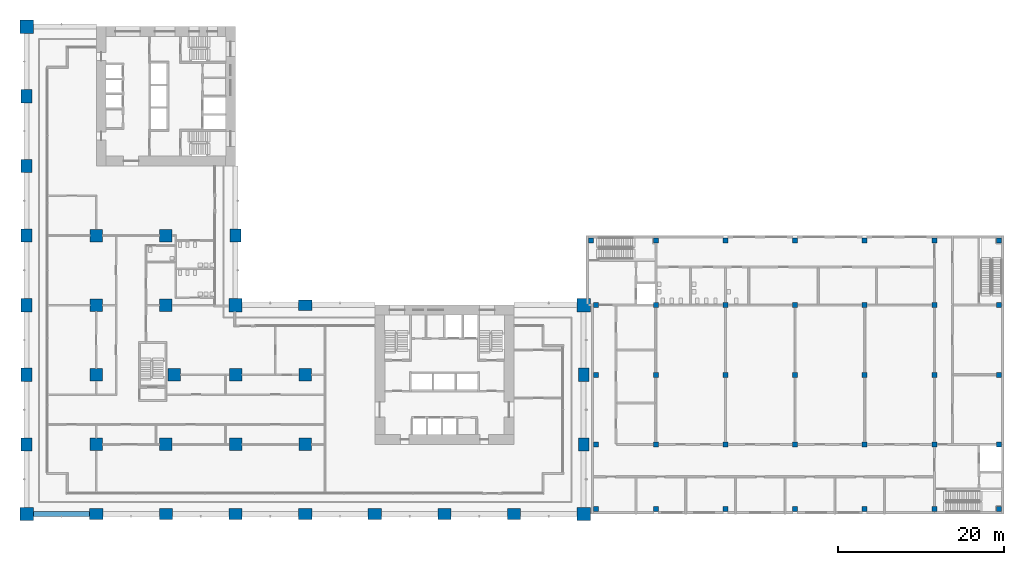
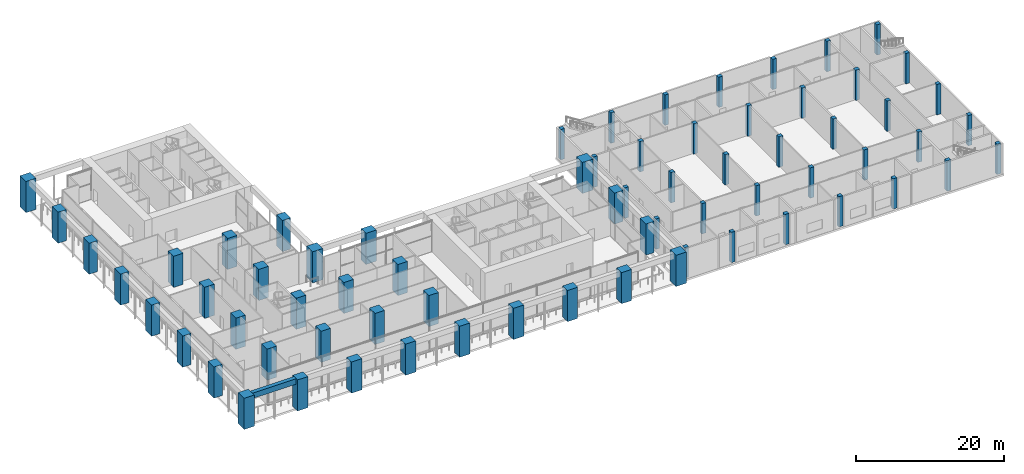
# One storey, part 1 of 32: 69 columns, 1 beam.
"""IFC4 building model written with IfcOpenShell, lengths in metres."""

from ifc_helpers import new_model, si_unit, direction, frame, origin, origin_2d, place, context, subcontext, project, spatial, rectangle, extrude, material, material_profile, profile_set, type_object, element, save


model = new_model("IFC4")

# Units and contexts
model_context = context("Model", 3, precision=1e-05, world=origin(), true_north=direction((0.0, 1.0)))
body_context = subcontext(model_context, "Body", "Model", "MODEL_VIEW")
ifc_project = project(units=[si_unit("LENGTHUNIT", "METRE"), si_unit("AREAUNIT", "SQUARE_METRE"), si_unit("VOLUMEUNIT", "CUBIC_METRE"), si_unit("PLANEANGLEUNIT", "RADIAN"), si_unit("MASSUNIT", "GRAM", prefix="KILO")], contexts=[model_context])

# Site, building, storey
site_placement = place(None, origin())
site = spatial("IfcSite", under=ifc_project, at=site_placement, CompositionType="ELEMENT")
building_placement = place(site_placement, origin())
building = spatial("IfcBuilding", under=site, at=building_placement, Name="Vermilion Gate Residences", CompositionType="ELEMENT")
storey_placement = place(building_placement, frame((0.0, 0.0, 19.800048828125)))
storey = spatial("IfcBuildingStorey", under=building, at=storey_placement, Name="L03", CompositionType="ELEMENT", Elevation=19.800048828125)

# Columns
ifc_material_1 = material(Name="Concrete C80", Category="concrete")
ifc_material_profile_1 = material_profile(ifc_material_1, rectangle(XDim=1.5, YDim=1.5, at=origin_2d()), Name="RC-1500x1500")
ifc_profile_set_1 = profile_set([ifc_material_profile_1], Name="Concrete C80")
column_type_1 = type_object("IfcColumnType", Name="RC COLUMN 1500 X 1500 C80", PredefinedType="COLUMN", material=ifc_profile_set_1)
for number, where, z_axis, x_axis, name in (
    (1, (8.39990234375, 8.39990234375, 0.0), (0.0, 0.0, 1.0), (1.0, 0.0, 0.0), "Column 2-B L03"),
    (2, (8.39990234375, 16.800048828125, 0.0), (0.0, 0.0, 1.0), (1.0, 0.0, 0.0), "Column 2-C L03"),
    (3, (8.39990234375, 25.199951171875, 0.0), (0.0, 0.0, 1.0), (1.0, 0.0, 0.0), "Column 2-D L03"),
    (4, (8.39990234375, 33.60009765625, 0.0), (0.0, 0.0, 1.0), (1.0, 0.0, 0.0), "Column 2-E L03"),
    (5, (16.800048828125, 8.39990234375, 0.0), (0.0, 0.0, 1.0), (1.0, 0.0, 0.0), "Column 3-B L03"),
    (6, (17.800048828125, 16.800048828125, 0.0), (0.0, 0.0, 1.0), (1.0, 0.0, 0.0), "Column 3-C L03"),
    (7, (16.800048828125, 25.199951171875, 0.0), (0.0, 0.0, 1.0), (1.0, 0.0, 0.0), "Column 3-D L03"),
    (8, (16.800048828125, 33.60009765625, 0.0), (0.0, 0.0, 1.0), (1.0, 0.0, 0.0), "Column 3-E L03"),
    (9, (25.199951171875, 8.39990234375, 0.0), (0.0, 0.0, 1.0), (1.0, 0.0, 0.0), "Column 4-B L03"),
    (10, (25.199951171875, 16.800048828125, 0.0), (0.0, 0.0, 1.0), (1.0, 0.0, 0.0), "Column 4-C L03"),
    (11, (33.60009765625, 8.39990234375, 0.0), (0.0, 0.0, 1.0), (1.0, 0.0, 0.0), "Column 5-B L03"),
    (12, (33.60009765625, 16.800048828125, 0.0), (0.0, 0.0, 1.0), (1.0, 0.0, 0.0), "Column 5-C L03"),
):
    element("IfcColumn", number, at=place(storey_placement, frame(where, z_axis=z_axis, x_axis=x_axis)), inside=storey, type_object=column_type_1, Name=name, PredefinedType="COLUMN", context=body_context, shape_type="SweptSolid", body=[
        extrude(rectangle(XDim=1.5, YDim=1.5, at=origin_2d()), origin(), (0.0, 0.0, 1.0), 5.119873046875),
    ])
ifc_material_2 = material(Name="Concrete C80", Category="concrete")
ifc_material_profile_2 = material_profile(ifc_material_2, rectangle(XDim=1.60009765625, YDim=1.300048828125, at=origin_2d()), Name="RC-1600x1300")
ifc_profile_set_2 = profile_set([ifc_material_profile_2], Name="Concrete C80")
column_type_2 = type_object("IfcColumnType", Name="RC COLUMN 1600 X 1300 C80", PredefinedType="COLUMN", material=ifc_profile_set_2)
for number, where, z_axis, x_axis, name in (
    (13, (0.0, 8.39990234375, 0.0), (0.0, 0.0, 1.0), (0.0, 1.0, 0.0), "Column 1-B L03"),
    (14, (0.0, 16.800048828125, 0.0), (0.0, 0.0, 1.0), (0.0, 1.0, 0.0), "Column 1-C L03"),
    (15, (0.0, 25.199951171875, 0.0), (0.0, 0.0, 1.0), (0.0, 1.0, 0.0), "Column 1-D L03"),
    (16, (0.0, 33.60009765625, 0.0), (0.0, 0.0, 1.0), (0.0, 1.0, 0.0), "Column 1-E L03"),
    (17, (0.0, 42.0, 0.0), (0.0, 0.0, 1.0), (0.0, 1.0, 0.0), "Column 1-F L03"),
    (18, (0.0, 50.39990234375, 0.0), (0.0, 0.0, 1.0), (0.0, 1.0, 0.0), "Column 1-G L03"),
    (19, (8.39990234375, 0.0, 0.0), (0.0, 0.0, 1.0), (1.0, 0.0, 0.0), "Column 2-A L03"),
    (20, (16.800048828125, 0.0, 0.0), (0.0, 0.0, 1.0), (1.0, 0.0, 0.0), "Column 3-A L03"),
    (21, (25.199951171875, 0.0, 0.0), (0.0, 0.0, 1.0), (1.0, 0.0, 0.0), "Column 4-A L03"),
    (22, (25.199951171875, 33.60009765625, 0.0), (0.0, 0.0, 1.0), (0.0, 1.0, 0.0), "Column 4-E L03"),
    (23, (33.60009765625, 0.0, 0.0), (0.0, 0.0, 1.0), (1.0, 0.0, 0.0), "Column 5-A L03"),
    (24, (33.60009765625, 25.199951171875, 0.0), (0.0, 0.0, 1.0), (1.0, 0.0, 0.0), "Column 5-D L03"),
    (25, (42.0, 0.0, 0.0), (0.0, 0.0, 1.0), (1.0, 0.0, 0.0), "Column 6-A L03"),
    (26, (50.39990234375, 0.0, 0.0), (0.0, 0.0, 1.0), (1.0, 0.0, 0.0), "Column 7-A L03"),
    (27, (58.800048828125, 0.0, 0.0), (0.0, 0.0, 1.0), (1.0, 0.0, 0.0), "Column 8-A L03"),
    (28, (67.199951171875, 8.39990234375, 0.0), (0.0, 0.0, 1.0), (0.0, 1.0, 0.0), "Column 9-B L03"),
    (29, (67.199951171875, 16.800048828125, 0.0), (0.0, 0.0, 1.0), (0.0, 1.0, 0.0), "Column 9-C L03"),
):
    element("IfcColumn", number, at=place(storey_placement, frame(where, z_axis=z_axis, x_axis=x_axis)), inside=storey, type_object=column_type_2, Name=name, PredefinedType="COLUMN", context=body_context, shape_type="SweptSolid", body=[
        extrude(rectangle(XDim=1.60009765625, YDim=1.300048828125, at=origin_2d()), origin(), (0.0, 0.0, 1.0), 5.119873046875),
    ])
ifc_material_3 = material(Name="Concrete C80", Category="concrete")
ifc_material_profile_3 = material_profile(ifc_material_3, rectangle(XDim=1.60009765625, YDim=1.60009765625, at=origin_2d()), Name="RC-1600x1600")
ifc_profile_set_3 = profile_set([ifc_material_profile_3], Name="Concrete C80")
column_type_3 = type_object("IfcColumnType", Name="RC COLUMN 1600 X 1600 C80", PredefinedType="COLUMN", material=ifc_profile_set_3)
for number, where, z_axis, x_axis, name in (
    (30, (0.0, 0.0, 0.0), (0.0, 0.0, 1.0), (1.0, 0.0, 0.0), "Column 1-A L03"),
    (31, (0.0, 58.800048828125, 0.0), (0.0, 0.0, 1.0), (1.0, 0.0, 0.0), "Column 1-H L03"),
    (32, (25.199951171875, 25.199951171875, 0.0), (0.0, 0.0, 1.0), (1.0, 0.0, 0.0), "Column 4-D L03"),
    (33, (67.199951171875, 0.0, 0.0), (0.0, 0.0, 1.0), (1.0, 0.0, 0.0), "Column 9-A L03"),
    (34, (67.199951171875, 25.199951171875, 0.0), (0.0, 0.0, 1.0), (1.0, 0.0, 0.0), "Column 9-D L03"),
):
    element("IfcColumn", number, at=place(storey_placement, frame(where, z_axis=z_axis, x_axis=x_axis)), inside=storey, type_object=column_type_3, Name=name, PredefinedType="COLUMN", context=body_context, shape_type="SweptSolid", body=[
        extrude(rectangle(XDim=1.60009765625, YDim=1.60009765625, at=origin_2d()), origin(), (0.0, 0.0, 1.0), 5.119873046875),
    ])
ifc_material_4 = material(Name="Concrete C45", Category="concrete")
ifc_material_profile_4 = material_profile(ifc_material_4, rectangle(XDim=0.60009765625, YDim=0.60009765625, at=origin_2d()), Name="RC COLUMN 600 X 600 C45 (MARKET HALL)")
ifc_profile_set_4 = profile_set([ifc_material_profile_4], Name="Concrete C45")
column_type_4 = type_object("IfcColumnType", Name="RC COLUMN 600 X 600 C45 (MARKET HALL)", PredefinedType="COLUMN", material=ifc_profile_set_4)
for number, where, z_axis, x_axis, name in (
    (35, (68.699951171875, 0.60009765625, 0.0), (0.0, 0.0, 1.0), (1.0, 0.0, 0.0), "Column H1-MA L03"),
    (36, (68.699951171875, 8.39990234375, 0.0), (0.0, 0.0, 1.0), (1.0, 0.0, 0.0), "Column H1-MB L03"),
    (37, (68.699951171875, 16.800048828125, 0.0), (0.0, 0.0, 1.0), (1.0, 0.0, 0.0), "Column H1-MC L03"),
    (38, (68.699951171875, 25.199951171875, 0.0), (0.0, 0.0, 1.0), (1.0, 0.0, 0.0), "Column H1-MD L03"),
    (39, (68.10009765625, 33.0, 0.0), (0.0, 0.0, 1.0), (1.0, 0.0, 0.0), "Column H1-ME L03"),
    (40, (75.89990234375, 0.60009765625, 0.0), (0.0, 0.0, 1.0), (1.0, 0.0, 0.0), "Column H2-MA L03"),
    (41, (75.89990234375, 8.39990234375, 0.0), (0.0, 0.0, 1.0), (1.0, 0.0, 0.0), "Column H2-MB L03"),
    (42, (75.89990234375, 16.800048828125, 0.0), (0.0, 0.0, 1.0), (1.0, 0.0, 0.0), "Column H2-MC L03"),
    (43, (75.89990234375, 25.199951171875, 0.0), (0.0, 0.0, 1.0), (1.0, 0.0, 0.0), "Column H2-MD L03"),
    (44, (75.89990234375, 33.0, 0.0), (0.0, 0.0, 1.0), (1.0, 0.0, 0.0), "Column H2-ME L03"),
    (45, (84.300048828125, 0.60009765625, 0.0), (0.0, 0.0, 1.0), (1.0, 0.0, 0.0), "Column H3-MA L03"),
    (46, (84.300048828125, 8.39990234375, 0.0), (0.0, 0.0, 1.0), (1.0, 0.0, 0.0), "Column H3-MB L03"),
    (47, (84.300048828125, 16.800048828125, 0.0), (0.0, 0.0, 1.0), (1.0, 0.0, 0.0), "Column H3-MC L03"),
    (48, (84.300048828125, 25.199951171875, 0.0), (0.0, 0.0, 1.0), (1.0, 0.0, 0.0), "Column H3-MD L03"),
    (49, (84.300048828125, 33.0, 0.0), (0.0, 0.0, 1.0), (1.0, 0.0, 0.0), "Column H3-ME L03"),
    (50, (92.699951171875, 0.60009765625, 0.0), (0.0, 0.0, 1.0), (1.0, 0.0, 0.0), "Column H4-MA L03"),
    (51, (92.699951171875, 8.39990234375, 0.0), (0.0, 0.0, 1.0), (1.0, 0.0, 0.0), "Column H4-MB L03"),
    (52, (92.699951171875, 16.800048828125, 0.0), (0.0, 0.0, 1.0), (1.0, 0.0, 0.0), "Column H4-MC L03"),
    (53, (92.699951171875, 25.199951171875, 0.0), (0.0, 0.0, 1.0), (1.0, 0.0, 0.0), "Column H4-MD L03"),
    (54, (92.699951171875, 33.0, 0.0), (0.0, 0.0, 1.0), (1.0, 0.0, 0.0), "Column H4-ME L03"),
    (55, (101.10009765625, 0.60009765625, 0.0), (0.0, 0.0, 1.0), (1.0, 0.0, 0.0), "Column H5-MA L03"),
    (56, (101.10009765625, 8.39990234375, 0.0), (0.0, 0.0, 1.0), (1.0, 0.0, 0.0), "Column H5-MB L03"),
    (57, (101.10009765625, 16.800048828125, 0.0), (0.0, 0.0, 1.0), (1.0, 0.0, 0.0), "Column H5-MC L03"),
    (58, (101.10009765625, 25.199951171875, 0.0), (0.0, 0.0, 1.0), (1.0, 0.0, 0.0), "Column H5-MD L03"),
    (59, (101.10009765625, 33.0, 0.0), (0.0, 0.0, 1.0), (1.0, 0.0, 0.0), "Column H5-ME L03"),
    (60, (109.5, 0.60009765625, 0.0), (0.0, 0.0, 1.0), (1.0, 0.0, 0.0), "Column H6-MA L03"),
    (61, (109.5, 8.39990234375, 0.0), (0.0, 0.0, 1.0), (1.0, 0.0, 0.0), "Column H6-MB L03"),
    (62, (109.5, 16.800048828125, 0.0), (0.0, 0.0, 1.0), (1.0, 0.0, 0.0), "Column H6-MC L03"),
    (63, (109.5, 25.199951171875, 0.0), (0.0, 0.0, 1.0), (1.0, 0.0, 0.0), "Column H6-MD L03"),
    (64, (109.5, 33.0, 0.0), (0.0, 0.0, 1.0), (1.0, 0.0, 0.0), "Column H6-ME L03"),
    (65, (117.300048828125, 0.60009765625, 0.0), (0.0, 0.0, 1.0), (1.0, 0.0, 0.0), "Column H7-MA L03"),
    (66, (117.300048828125, 8.39990234375, 0.0), (0.0, 0.0, 1.0), (1.0, 0.0, 0.0), "Column H7-MB L03"),
    (67, (117.300048828125, 16.800048828125, 0.0), (0.0, 0.0, 1.0), (1.0, 0.0, 0.0), "Column H7-MC L03"),
    (68, (117.300048828125, 25.199951171875, 0.0), (0.0, 0.0, 1.0), (1.0, 0.0, 0.0), "Column H7-MD L03"),
    (69, (117.300048828125, 33.0, 0.0), (0.0, 0.0, 1.0), (1.0, 0.0, 0.0), "Column H7-ME L03"),
):
    element("IfcColumn", number, at=place(storey_placement, frame(where, z_axis=z_axis, x_axis=x_axis)), inside=storey, type_object=column_type_4, Name=name, PredefinedType="COLUMN", context=body_context, shape_type="SweptSolid", body=[
        extrude(rectangle(XDim=0.60009765625, YDim=0.60009765625, at=origin_2d()), origin(), (0.0, 0.0, 1.0), 5.0),
    ])

# Beam
ifc_material_5 = material(Name="Concrete C60 red-oxide pigmented", Category="concrete")
ifc_material_profile_5 = material_profile(ifc_material_5, rectangle(XDim=0.60009765625, YDim=0.89990234375, at=origin_2d()), Name="RC-600x900")
ifc_profile_set_5 = profile_set([ifc_material_profile_5], Name="Concrete C60 red-oxide pigmented")
beam_type = type_object("IfcBeamType", Name="RC EDGE BEAM 600 X 900 C60", PredefinedType="BEAM", material=ifc_profile_set_5)
beam_placement = place(storey_placement, frame((0.800048828125, 0.0, 4.669921875), z_axis=(1.0, 0.0, 0.0), x_axis=(0.0, 1.0, 0.0)))
element("IfcBeam", 70, at=beam_placement, inside=storey, type_object=beam_type, Name="Edge beam L03 1", PredefinedType="BEAM", context=body_context, shape_type="SweptSolid", body=[
    extrude(rectangle(XDim=0.60009765625, YDim=0.89990234375, at=origin_2d()), origin(), (0.0, 0.0, 1.0), 6.800048828125),
])

save(model, "model.ifc")
